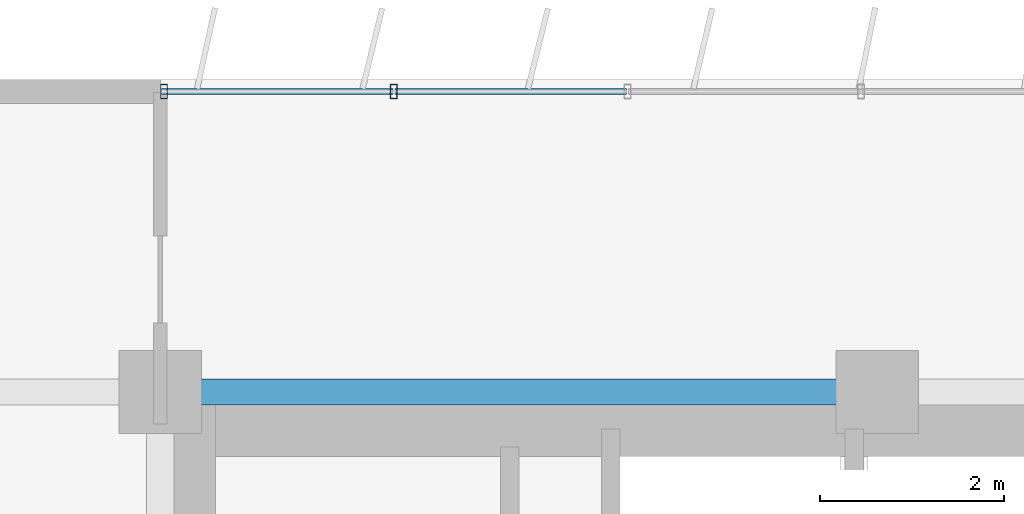
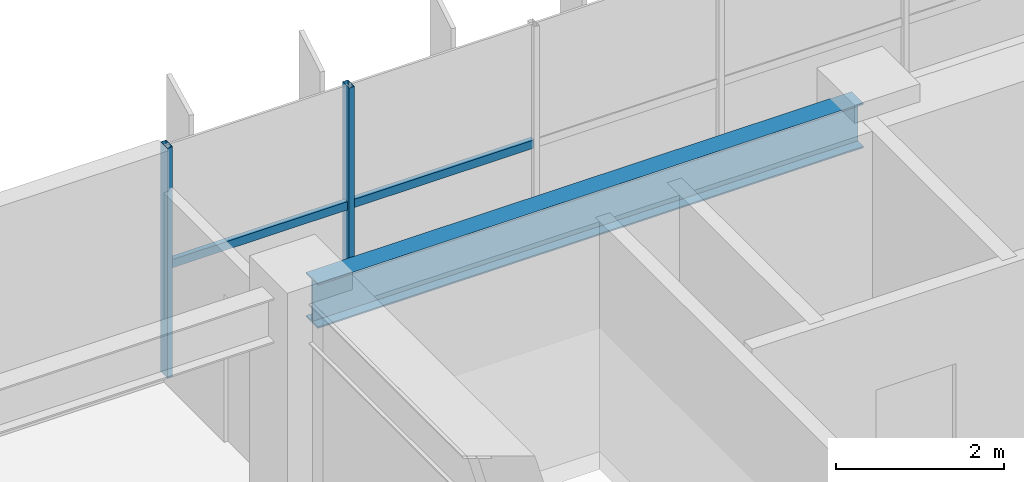
# One storey, part 5 of 21: 4 members, 1 beam, 1 element without a shape of its own.
"""IFC4 building model written with IfcOpenShell, lengths in metres."""

from ifc_helpers import new_model, si_unit, direction, frame, origin, origin_2d, place, context, subcontext, project, spatial, hollow_rectangle, i_section, extrude, source, transform, mapped, material, material_profile, profile_set, type_object, element, aggregate, save


model = new_model("IFC4")

# Units and contexts
model_context = context("Model", 3, precision=1e-05, world=origin(), true_north=direction((0.0, 1.0)))
body_context = subcontext(model_context, "Body", "Model", "MODEL_VIEW")
ifc_project = project(units=[si_unit("LENGTHUNIT", "METRE"), si_unit("AREAUNIT", "SQUARE_METRE"), si_unit("VOLUMEUNIT", "CUBIC_METRE"), si_unit("PLANEANGLEUNIT", "RADIAN"), si_unit("MASSUNIT", "GRAM", prefix="KILO")], contexts=[model_context])

# Site, building, storey
site_placement = place(None, origin())
site = spatial("IfcSite", under=ifc_project, at=site_placement, CompositionType="ELEMENT")
building_placement = place(site_placement, origin())
building = spatial("IfcBuilding", under=site, at=building_placement, Name="Trelvane Seafront Commons", CompositionType="ELEMENT")
storey_placement = place(building_placement, frame((0.0, 0.0, 41.5)))
storey = spatial("IfcBuildingStorey", under=building, at=storey_placement, Name="L10", CompositionType="ELEMENT", Elevation=41.5)

# Beam
ifc_material_1 = material(Name="Steel SM355 (S355)", Category="steel")
ifc_material_profile_1 = material_profile(ifc_material_1, i_section(OverallWidth=0.280029296875, OverallDepth=0.64990234375, WebThickness=0.012939453125, FlangeThickness=0.02197265625, at=origin_2d()), Name="H-650x280x13x22")
ifc_profile_set_1 = profile_set([ifc_material_profile_1], Name="Steel SM355 (S355)")
beam_type = type_object("IfcBeamType", Name="STR-BM-H650", PredefinedType="BEAM", material=ifc_profile_set_1)
shared_shape_1 = source(origin(), body_context, "Body", "SweptSolid", [
    extrude(i_section(OverallWidth=0.280029296875, OverallDepth=0.64990234375, WebThickness=0.012939453125, FlangeThickness=0.02197265625, at=origin_2d()), origin(), (0.0, 0.0, 1.0), 7.5),
])
beam_placement = place(storey_placement, frame((15.75, 45.10009765625, 3.014892578125), z_axis=(1.0, 0.0, 0.0), x_axis=(0.0, 1.0, 0.0)))
element("IfcBeam", 1, at=beam_placement, inside=storey, type_object=beam_type, Name="L10 Primary Girder G-30", PredefinedType="BEAM", context=body_context, shape_type="MappedRepresentation", body=[
    mapped(shared_shape_1, transform((0.0, 0.0, 0.0), x_axis=(1.0, 0.0, 0.0), y_axis=(0.0, 1.0, 0.0), z_axis=(0.0, 0.0, 1.0), scale=1.0)),
])

# Curtain wall, members
ifc_material_2 = material(Name="Anodised pale-silver aluminium", Category="aluminium")
curtain_wall_type = type_object("IfcCurtainWallType", Name="ARCH-CW2-LOWTOWER", PredefinedType="NOTDEFINED", material=ifc_material_2)
curtain_wall_placement = place(storey_placement, origin())
curtain_wall = element("IfcCurtainWall", 2, at=curtain_wall_placement, inside=storey, type_object=curtain_wall_type, Name="CW-L10-0034", PredefinedType="NOTDEFINED")
ifc_material_profile_2 = material_profile(ifc_material_2, hollow_rectangle(XDim=0.074951171875, YDim=0.159912109375, WallThickness=0.00390625, at=origin_2d()), Name="MULL-75x160x4")
ifc_profile_set_2 = profile_set([ifc_material_profile_2], Name="Anodised pale-silver aluminium")
member_type_1 = type_object("IfcMemberType", Name="ARCH-CW-MULL-160", PredefinedType="MULLION", material=ifc_profile_set_2)
shared_shape_2 = source(origin(), body_context, "Body", "SweptSolid", [
    extrude(hollow_rectangle(XDim=0.074951171875, YDim=0.159912109375, WallThickness=0.00390625, at=origin_2d()), origin(), (0.0, 0.0, 1.0), 3.340087890625),
])
member_1_placement = place(storey_placement, frame((15.639892578125, 48.3701171875, 0.0), z_axis=(0.0, 0.0, 1.0), x_axis=(1.0, 0.0, 0.0)))
member_1 = element("IfcMember", 3, at=member_1_placement, type_object=member_type_1, Name="CW-L10-0034-M00", PredefinedType="MULLION", context=body_context, shape_type="MappedRepresentation", body=[
    mapped(shared_shape_2, transform((0.0, 0.0, 0.0), x_axis=(1.0, 0.0, 0.0), y_axis=(0.0, 1.0, 0.0), z_axis=(0.0, 0.0, 1.0), scale=1.0)),
])
member_2_placement = place(storey_placement, frame((18.14111328125, 48.3701171875, 0.0), z_axis=(0.0, 0.0, 1.0), x_axis=(1.0, 0.0, 0.0)))
member_2 = element("IfcMember", 4, at=member_2_placement, type_object=member_type_1, Name="CW-L10-0034-M01", PredefinedType="MULLION", context=body_context, shape_type="MappedRepresentation", body=[
    mapped(shared_shape_2, transform((0.0, 0.0, 0.0), x_axis=(1.0, 0.0, 0.0), y_axis=(0.0, 1.0, 0.0), z_axis=(0.0, 0.0, 1.0), scale=1.0)),
])
ifc_material_profile_3 = material_profile(ifc_material_2, hollow_rectangle(XDim=0.070068359375, YDim=0.1201171875, WallThickness=0.00390625, at=origin_2d()), Name="TRAN-70x120x4")
ifc_profile_set_3 = profile_set([ifc_material_profile_3], Name="Anodised pale-silver aluminium")
member_type_2 = type_object("IfcMemberType", Name="ARCH-CW-TRAN-120", PredefinedType="USERDEFINED", material=ifc_profile_set_3)
shared_shape_3 = source(origin(), body_context, "Body", "SweptSolid", [
    extrude(hollow_rectangle(XDim=0.070068359375, YDim=0.1201171875, WallThickness=0.00390625, at=origin_2d()), origin(), (0.0, 0.0, 1.0), 2.51708984375),
])
member_3_placement = place(storey_placement, frame((15.612060546875, 48.3701171875, 1.60302734375), z_axis=(1.0, 0.0, 0.0), x_axis=(0.0, 1.0, 0.0)))
member_3 = element("IfcMember", 5, at=member_3_placement, type_object=member_type_2, Name="CW-L10-0034-T00", ObjectType="TRANSOM", PredefinedType="USERDEFINED", context=body_context, shape_type="MappedRepresentation", body=[
    mapped(shared_shape_3, transform((0.0, 0.0, 0.0), x_axis=(1.0, 0.0, 0.0), y_axis=(0.0, 1.0, 0.0), z_axis=(0.0, 0.0, 1.0), scale=1.0)),
])
member_4_placement = place(storey_placement, frame((18.1533203125, 48.3701171875, 1.60302734375), z_axis=(1.0, 0.0, 0.0), x_axis=(0.0, 1.0, 0.0)))
member_4 = element("IfcMember", 6, at=member_4_placement, type_object=member_type_2, Name="CW-L10-0034-T01", ObjectType="TRANSOM", PredefinedType="USERDEFINED", context=body_context, shape_type="MappedRepresentation", body=[
    mapped(shared_shape_3, transform((0.0, 0.0, 0.0), x_axis=(1.0, 0.0, 0.0), y_axis=(0.0, 1.0, 0.0), z_axis=(0.0, 0.0, 1.0), scale=1.0)),
])
aggregate(curtain_wall, [member_1, member_2, member_3, member_4])

save(model, "model.ifc")
